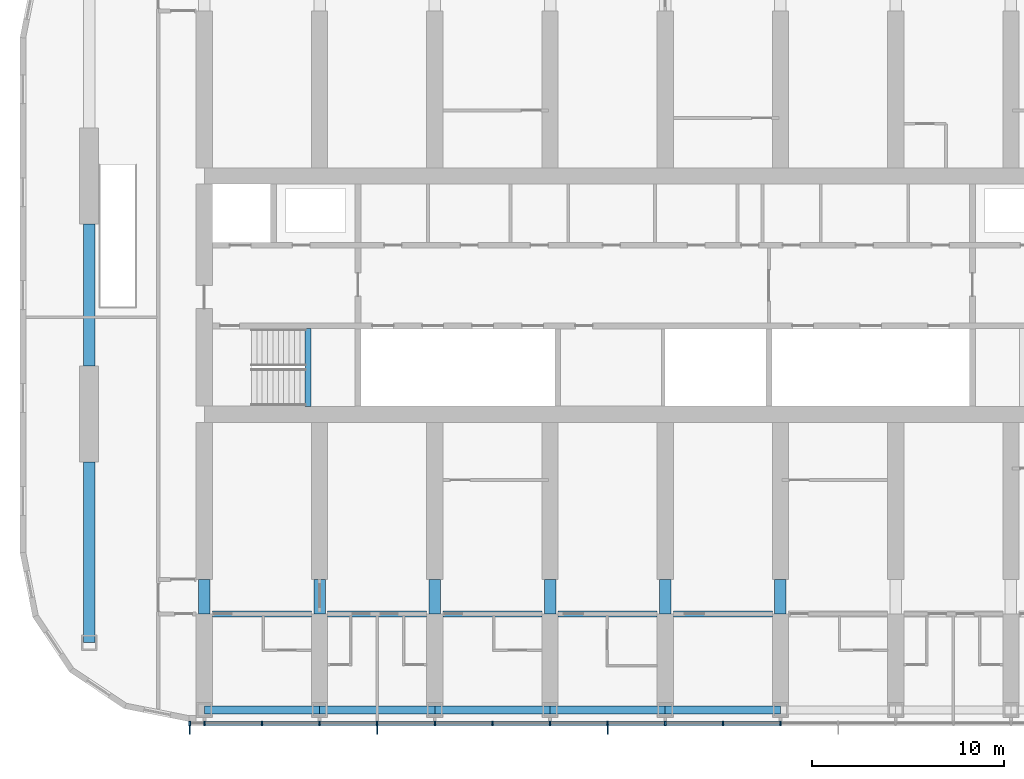
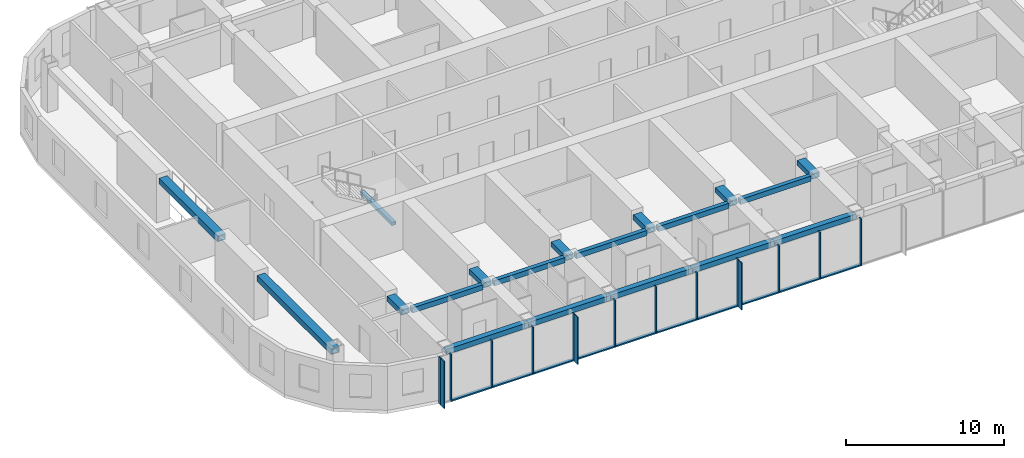
# One storey, part 2 of 22: 25 members, 19 beams, 1 element without a shape of its own.
"""IFC4 building model written with IfcOpenShell, lengths in metres."""

from ifc_helpers import new_model, si_unit, direction, frame, origin, origin_2d, place, context, subcontext, project, spatial, rectangle, hollow_rectangle, extrude, material, material_profile, profile_set, type_object, element, aggregate, save


model = new_model("IFC4")

# Units and contexts
model_context = context("Model", 3, precision=1e-05, world=origin(), true_north=direction((0.0, 1.0)))
body_context = subcontext(model_context, "Body", "Model", "MODEL_VIEW")
ifc_project = project(units=[si_unit("LENGTHUNIT", "METRE"), si_unit("AREAUNIT", "SQUARE_METRE"), si_unit("VOLUMEUNIT", "CUBIC_METRE"), si_unit("PLANEANGLEUNIT", "RADIAN"), si_unit("MASSUNIT", "GRAM", prefix="KILO")], contexts=[model_context])

# Site, building, storey
site_placement = place(None, origin())
site = spatial("IfcSite", under=ifc_project, at=site_placement, CompositionType="ELEMENT")
building_placement = place(site_placement, origin())
building = spatial("IfcBuilding", under=site, at=building_placement, Name="Orbita Commons", CompositionType="ELEMENT")
storey_placement = place(building_placement, frame((0.0, 0.0, 197.35009765625)))
storey = spatial("IfcBuildingStorey", under=building, at=storey_placement, Name="L49", CompositionType="ELEMENT", Elevation=197.35009765625)

# Curtain wall, members
ifc_material_1 = material(Name="Anodised aluminium frame, pale silver", Category="aluminium")
curtain_wall_type = type_object("IfcCurtainWallType", Name="Unitised curtain wall CW-U, full-height vision", PredefinedType="NOTDEFINED", material=ifc_material_1)
curtain_wall_placement = place(storey_placement, origin())
curtain_wall = element("IfcCurtainWall", 1, at=curtain_wall_placement, inside=storey, type_object=curtain_wall_type, Name="Curtain wall south L49", PredefinedType="NOTDEFINED")
ifc_material_2 = material(Name="Anodised aluminium, pale silver", Category="aluminium")
ifc_material_profile_1 = material_profile(ifc_material_2, rectangle(XDim=0.080078125, YDim=0.219970703125, at=origin_2d()), Name="AL 80x220")
ifc_profile_set_1 = profile_set([ifc_material_profile_1], Name="Anodised aluminium, pale silver")
member_type_1 = type_object("IfcMemberType", Name="Curtain wall mullion 80x220", PredefinedType="MULLION", material=ifc_profile_set_1)
member_1_placement = place(storey_placement, frame((17.239990234375, 9.68994140625, -0.25), z_axis=(0.0, 0.0, 1.0), x_axis=(1.0, 0.0, 0.0)))
member_1 = element("IfcMember", 2, at=member_1_placement, type_object=member_type_1, Name="Mullion 1 CW-L49-S", PredefinedType="MULLION", context=body_context, shape_type="SweptSolid", body=[
    extrude(rectangle(XDim=0.080078125, YDim=0.219970703125, at=origin_2d()), origin(), (0.0, 0.0, 1.0), 3.64990234375),
])
member_2_placement = place(storey_placement, frame((18.0, 9.68994140625, -0.25), z_axis=(0.0, 0.0, 1.0), x_axis=(1.0, 0.0, 0.0)))
member_2 = element("IfcMember", 3, at=member_2_placement, type_object=member_type_1, Name="Mullion 2 CW-L49-S", PredefinedType="MULLION", context=body_context, shape_type="SweptSolid", body=[
    extrude(rectangle(XDim=0.080078125, YDim=0.219970703125, at=origin_2d()), origin(), (0.0, 0.0, 1.0), 3.64990234375),
])
member_3_placement = place(storey_placement, frame((21.0, 9.68994140625, -0.25), z_axis=(0.0, 0.0, 1.0), x_axis=(1.0, 0.0, 0.0)))
member_3 = element("IfcMember", 4, at=member_3_placement, type_object=member_type_1, Name="Mullion 3 CW-L49-S", PredefinedType="MULLION", context=body_context, shape_type="SweptSolid", body=[
    extrude(rectangle(XDim=0.080078125, YDim=0.219970703125, at=origin_2d()), origin(), (0.0, 0.0, 1.0), 3.64990234375),
])
member_4_placement = place(storey_placement, frame((24.0, 9.68994140625, -0.25), z_axis=(0.0, 0.0, 1.0), x_axis=(1.0, 0.0, 0.0)))
member_4 = element("IfcMember", 5, at=member_4_placement, type_object=member_type_1, Name="Mullion 4 CW-L49-S", PredefinedType="MULLION", context=body_context, shape_type="SweptSolid", body=[
    extrude(rectangle(XDim=0.080078125, YDim=0.219970703125, at=origin_2d()), origin(), (0.0, 0.0, 1.0), 3.64990234375),
])
member_5_placement = place(storey_placement, frame((27.0, 9.68994140625, -0.25), z_axis=(0.0, 0.0, 1.0), x_axis=(1.0, 0.0, 0.0)))
member_5 = element("IfcMember", 6, at=member_5_placement, type_object=member_type_1, Name="Mullion 5 CW-L49-S", PredefinedType="MULLION", context=body_context, shape_type="SweptSolid", body=[
    extrude(rectangle(XDim=0.080078125, YDim=0.219970703125, at=origin_2d()), origin(), (0.0, 0.0, 1.0), 3.64990234375),
])
member_6_placement = place(storey_placement, frame((30.0, 9.68994140625, -0.25), z_axis=(0.0, 0.0, 1.0), x_axis=(1.0, 0.0, 0.0)))
member_6 = element("IfcMember", 7, at=member_6_placement, type_object=member_type_1, Name="Mullion 6 CW-L49-S", PredefinedType="MULLION", context=body_context, shape_type="SweptSolid", body=[
    extrude(rectangle(XDim=0.080078125, YDim=0.219970703125, at=origin_2d()), origin(), (0.0, 0.0, 1.0), 3.64990234375),
])
member_7_placement = place(storey_placement, frame((33.0, 9.68994140625, -0.25), z_axis=(0.0, 0.0, 1.0), x_axis=(1.0, 0.0, 0.0)))
member_7 = element("IfcMember", 8, at=member_7_placement, type_object=member_type_1, Name="Mullion 7 CW-L49-S", PredefinedType="MULLION", context=body_context, shape_type="SweptSolid", body=[
    extrude(rectangle(XDim=0.080078125, YDim=0.219970703125, at=origin_2d()), origin(), (0.0, 0.0, 1.0), 3.64990234375),
])
member_8_placement = place(storey_placement, frame((36.0, 9.68994140625, -0.25), z_axis=(0.0, 0.0, 1.0), x_axis=(1.0, 0.0, 0.0)))
member_8 = element("IfcMember", 9, at=member_8_placement, type_object=member_type_1, Name="Mullion 8 CW-L49-S", PredefinedType="MULLION", context=body_context, shape_type="SweptSolid", body=[
    extrude(rectangle(XDim=0.080078125, YDim=0.219970703125, at=origin_2d()), origin(), (0.0, 0.0, 1.0), 3.64990234375),
])
member_9_placement = place(storey_placement, frame((39.0, 9.68994140625, -0.25), z_axis=(0.0, 0.0, 1.0), x_axis=(1.0, 0.0, 0.0)))
member_9 = element("IfcMember", 10, at=member_9_placement, type_object=member_type_1, Name="Mullion 9 CW-L49-S", PredefinedType="MULLION", context=body_context, shape_type="SweptSolid", body=[
    extrude(rectangle(XDim=0.080078125, YDim=0.219970703125, at=origin_2d()), origin(), (0.0, 0.0, 1.0), 3.64990234375),
])
member_10_placement = place(storey_placement, frame((42.0, 9.68994140625, -0.25), z_axis=(0.0, 0.0, 1.0), x_axis=(1.0, 0.0, 0.0)))
member_10 = element("IfcMember", 11, at=member_10_placement, type_object=member_type_1, Name="Mullion 10 CW-L49-S", PredefinedType="MULLION", context=body_context, shape_type="SweptSolid", body=[
    extrude(rectangle(XDim=0.080078125, YDim=0.219970703125, at=origin_2d()), origin(), (0.0, 0.0, 1.0), 3.64990234375),
])
member_11_placement = place(storey_placement, frame((45.0, 9.68994140625, -0.25), z_axis=(0.0, 0.0, 1.0), x_axis=(1.0, 0.0, 0.0)))
member_11 = element("IfcMember", 12, at=member_11_placement, type_object=member_type_1, Name="Mullion 11 CW-L49-S", PredefinedType="MULLION", context=body_context, shape_type="SweptSolid", body=[
    extrude(rectangle(XDim=0.080078125, YDim=0.219970703125, at=origin_2d()), origin(), (0.0, 0.0, 1.0), 3.64990234375),
])
member_12_placement = place(storey_placement, frame((48.0, 9.68994140625, -0.25), z_axis=(0.0, 0.0, 1.0), x_axis=(1.0, 0.0, 0.0)))
member_12 = element("IfcMember", 13, at=member_12_placement, type_object=member_type_1, Name="Mullion 12 CW-L49-S", PredefinedType="MULLION", context=body_context, shape_type="SweptSolid", body=[
    extrude(rectangle(XDim=0.080078125, YDim=0.219970703125, at=origin_2d()), origin(), (0.0, 0.0, 1.0), 3.64990234375),
])
ifc_material_3 = material(Name="Anodised aluminium, pale silver", Category="aluminium")
ifc_material_profile_2 = material_profile(ifc_material_3, rectangle(XDim=0.219970703125, YDim=0.10009765625, at=origin_2d()), Name="AL 220x100")
ifc_profile_set_2 = profile_set([ifc_material_profile_2], Name="Anodised aluminium, pale silver")
member_type_2 = type_object("IfcMemberType", Name="Curtain wall stack transom 220x100", PredefinedType="USERDEFINED", material=ifc_profile_set_2)
member_13_placement = place(storey_placement, frame((18.0400390625, 9.68994140625, -0.2001953125), z_axis=(1.0, 0.0, 0.0), x_axis=(0.0, 1.0, 0.0)))
member_13 = element("IfcMember", 14, at=member_13_placement, type_object=member_type_2, Name="Transom 2.1 CW-L49-S", ObjectType="TRANSOM", PredefinedType="USERDEFINED", context=body_context, shape_type="SweptSolid", body=[
    extrude(rectangle(XDim=0.219970703125, YDim=0.10009765625, at=origin_2d()), origin(), (0.0, 0.0, 1.0), 2.919921875),
])
member_14_placement = place(storey_placement, frame((21.0400390625, 9.68994140625, -0.2001953125), z_axis=(1.0, 0.0, 0.0), x_axis=(0.0, 1.0, 0.0)))
member_14 = element("IfcMember", 15, at=member_14_placement, type_object=member_type_2, Name="Transom 3.1 CW-L49-S", ObjectType="TRANSOM", PredefinedType="USERDEFINED", context=body_context, shape_type="SweptSolid", body=[
    extrude(rectangle(XDim=0.219970703125, YDim=0.10009765625, at=origin_2d()), origin(), (0.0, 0.0, 1.0), 2.919921875),
])
member_15_placement = place(storey_placement, frame((24.0400390625, 9.68994140625, -0.2001953125), z_axis=(1.0, 0.0, 0.0), x_axis=(0.0, 1.0, 0.0)))
member_15 = element("IfcMember", 16, at=member_15_placement, type_object=member_type_2, Name="Transom 4.1 CW-L49-S", ObjectType="TRANSOM", PredefinedType="USERDEFINED", context=body_context, shape_type="SweptSolid", body=[
    extrude(rectangle(XDim=0.219970703125, YDim=0.10009765625, at=origin_2d()), origin(), (0.0, 0.0, 1.0), 2.919921875),
])
member_16_placement = place(storey_placement, frame((27.0400390625, 9.68994140625, -0.2001953125), z_axis=(1.0, 0.0, 0.0), x_axis=(0.0, 1.0, 0.0)))
member_16 = element("IfcMember", 17, at=member_16_placement, type_object=member_type_2, Name="Transom 5.1 CW-L49-S", ObjectType="TRANSOM", PredefinedType="USERDEFINED", context=body_context, shape_type="SweptSolid", body=[
    extrude(rectangle(XDim=0.219970703125, YDim=0.10009765625, at=origin_2d()), origin(), (0.0, 0.0, 1.0), 2.919921875),
])
member_17_placement = place(storey_placement, frame((30.0400390625, 9.68994140625, -0.2001953125), z_axis=(1.0, 0.0, 0.0), x_axis=(0.0, 1.0, 0.0)))
member_17 = element("IfcMember", 18, at=member_17_placement, type_object=member_type_2, Name="Transom 6.1 CW-L49-S", ObjectType="TRANSOM", PredefinedType="USERDEFINED", context=body_context, shape_type="SweptSolid", body=[
    extrude(rectangle(XDim=0.219970703125, YDim=0.10009765625, at=origin_2d()), origin(), (0.0, 0.0, 1.0), 2.919921875),
])
member_18_placement = place(storey_placement, frame((33.0400390625, 9.68994140625, -0.2001953125), z_axis=(1.0, 0.0, 0.0), x_axis=(0.0, 1.0, 0.0)))
member_18 = element("IfcMember", 19, at=member_18_placement, type_object=member_type_2, Name="Transom 7.1 CW-L49-S", ObjectType="TRANSOM", PredefinedType="USERDEFINED", context=body_context, shape_type="SweptSolid", body=[
    extrude(rectangle(XDim=0.219970703125, YDim=0.10009765625, at=origin_2d()), origin(), (0.0, 0.0, 1.0), 2.919921875),
])
member_19_placement = place(storey_placement, frame((36.0400390625, 9.68994140625, -0.2001953125), z_axis=(1.0, 0.0, 0.0), x_axis=(0.0, 1.0, 0.0)))
member_19 = element("IfcMember", 20, at=member_19_placement, type_object=member_type_2, Name="Transom 8.1 CW-L49-S", ObjectType="TRANSOM", PredefinedType="USERDEFINED", context=body_context, shape_type="SweptSolid", body=[
    extrude(rectangle(XDim=0.219970703125, YDim=0.10009765625, at=origin_2d()), origin(), (0.0, 0.0, 1.0), 2.919921875),
])
member_20_placement = place(storey_placement, frame((39.0400390625, 9.68994140625, -0.2001953125), z_axis=(1.0, 0.0, 0.0), x_axis=(0.0, 1.0, 0.0)))
member_20 = element("IfcMember", 21, at=member_20_placement, type_object=member_type_2, Name="Transom 9.1 CW-L49-S", ObjectType="TRANSOM", PredefinedType="USERDEFINED", context=body_context, shape_type="SweptSolid", body=[
    extrude(rectangle(XDim=0.219970703125, YDim=0.10009765625, at=origin_2d()), origin(), (0.0, 0.0, 1.0), 2.919921875),
])
member_21_placement = place(storey_placement, frame((42.0400390625, 9.68994140625, -0.2001953125), z_axis=(1.0, 0.0, 0.0), x_axis=(0.0, 1.0, 0.0)))
member_21 = element("IfcMember", 22, at=member_21_placement, type_object=member_type_2, Name="Transom 10.1 CW-L49-S", ObjectType="TRANSOM", PredefinedType="USERDEFINED", context=body_context, shape_type="SweptSolid", body=[
    extrude(rectangle(XDim=0.219970703125, YDim=0.10009765625, at=origin_2d()), origin(), (0.0, 0.0, 1.0), 2.919921875),
])
member_22_placement = place(storey_placement, frame((45.0400390625, 9.68994140625, -0.2001953125), z_axis=(1.0, 0.0, 0.0), x_axis=(0.0, 1.0, 0.0)))
member_22 = element("IfcMember", 23, at=member_22_placement, type_object=member_type_2, Name="Transom 11.1 CW-L49-S", ObjectType="TRANSOM", PredefinedType="USERDEFINED", context=body_context, shape_type="SweptSolid", body=[
    extrude(rectangle(XDim=0.219970703125, YDim=0.10009765625, at=origin_2d()), origin(), (0.0, 0.0, 1.0), 2.919921875),
])

# Beams
ifc_material_4 = material(Name="Steel ASTM A572 Gr 50 welded plate", Category="steel")
ifc_material_profile_3 = material_profile(ifc_material_4, hollow_rectangle(XDim=0.300048828125, YDim=0.25, WallThickness=0.02490234375, at=origin_2d()), Name="BOX 250x300x25")
ifc_profile_set_3 = profile_set([ifc_material_profile_3], Name="Steel ASTM A572 Gr 50 welded plate")
beam_type_1 = type_object("IfcBeamType", Name="Stair landing beam steel BOX 250x300x25", PredefinedType="BEAM", material=ifc_profile_set_3)
beam_1_placement = place(storey_placement, frame((23.39990234375, 26.2099609375, 1.5498046875), z_axis=(0.0, 1.0, 0.0), x_axis=(-1.0, 0.0, 0.0)))
element("IfcBeam", 24, at=beam_1_placement, inside=storey, type_object=beam_type_1, Name="Stair S1 landing beam L49 1", PredefinedType="BEAM", context=body_context, shape_type="SweptSolid", body=[
    extrude(hollow_rectangle(XDim=0.300048828125, YDim=0.25, WallThickness=0.02490234375, at=origin_2d()), origin(), (0.0, 0.0, 1.0), 4.054931640625),
])
ifc_material_5 = material(Name="Steel ASTM A572 Gr 50 welded plate", Category="steel")
ifc_material_profile_4 = material_profile(ifc_material_5, hollow_rectangle(XDim=0.300048828125, YDim=0.39990234375, WallThickness=0.0400390625, at=origin_2d()), Name="BOX 400x300x40")
ifc_profile_set_4 = profile_set([ifc_material_profile_4], Name="Steel ASTM A572 Gr 50 welded plate")
beam_type_2 = type_object("IfcBeamType", Name="Steel corridor link BOX 400x300x40", PredefinedType="BEAM", material=ifc_profile_set_4)
for number, where, z_axis, x_axis, name in (
    (25, (18.425048828125, 15.39990234375, 3.199951171875), (1.0, 0.0, 0.0), (0.0, 1.0, 0.0), "Corridor beam SA 4-5 L49"),
    (26, (24.425048828125, 15.39990234375, 3.199951171875), (1.0, 0.0, 0.0), (0.0, 1.0, 0.0), "Corridor beam SA 5-6 L49"),
    (27, (30.425048828125, 15.39990234375, 3.199951171875), (1.0, 0.0, 0.0), (0.0, 1.0, 0.0), "Corridor beam SA 6-7 L49"),
    (28, (36.425048828125, 15.39990234375, 3.199951171875), (1.0, 0.0, 0.0), (0.0, 1.0, 0.0), "Corridor beam SA 7-8 L49"),
    (29, (42.425048828125, 15.39990234375, 3.199951171875), (1.0, 0.0, 0.0), (0.0, 1.0, 0.0), "Corridor beam SA 8-9 L49"),
):
    element("IfcBeam", number, at=place(storey_placement, frame(where, z_axis=z_axis, x_axis=x_axis)), inside=storey, type_object=beam_type_2, Name=name, PredefinedType="BEAM", context=body_context, shape_type="SweptSolid", body=[
        extrude(hollow_rectangle(XDim=0.300048828125, YDim=0.39990234375, WallThickness=0.0400390625, at=origin_2d()), origin(), (0.0, 0.0, 1.0), 5.14990234375),
    ])
ifc_material_6 = material(Name="Steel ASTM A572 Gr 50 welded plate", Category="steel")
ifc_material_profile_5 = material_profile(ifc_material_6, hollow_rectangle(XDim=0.60009765625, YDim=0.39990234375, WallThickness=0.050048828125, at=origin_2d()), Name="BOX 400x600x50")
ifc_profile_set_5 = profile_set([ifc_material_profile_5], Name="Steel ASTM A572 Gr 50 welded plate")
beam_type_3 = type_object("IfcBeamType", Name="Steel coupling link BOX 400x600x50", PredefinedType="LINTEL", material=ifc_profile_set_5)
for number, where, z_axis, x_axis, name in (
    (30, (18.0, 15.39990234375, 3.199951171875), (0.0, 1.0, 0.0), (-1.0, 0.0, 0.0), "Coupling beam 4 south L49"),
    (31, (24.0, 15.39990234375, 3.199951171875), (0.0, 1.0, 0.0), (-1.0, 0.0, 0.0), "Coupling beam 5 south L49"),
    (32, (30.0, 15.39990234375, 3.199951171875), (0.0, 1.0, 0.0), (-1.0, 0.0, 0.0), "Coupling beam 6 south L49"),
    (33, (36.0, 15.39990234375, 3.199951171875), (0.0, 1.0, 0.0), (-1.0, 0.0, 0.0), "Coupling beam 7 south L49"),
    (34, (42.0, 15.39990234375, 3.199951171875), (0.0, 1.0, 0.0), (-1.0, 0.0, 0.0), "Coupling beam 8 south L49"),
    (35, (48.0, 15.39990234375, 3.199951171875), (0.0, 1.0, 0.0), (-1.0, 0.0, 0.0), "Coupling beam 9 south L49"),
):
    element("IfcBeam", number, at=place(storey_placement, frame(where, z_axis=z_axis, x_axis=x_axis)), inside=storey, type_object=beam_type_3, Name=name, PredefinedType="LINTEL", context=body_context, shape_type="SweptSolid", body=[
        extrude(hollow_rectangle(XDim=0.60009765625, YDim=0.39990234375, WallThickness=0.050048828125, at=origin_2d()), origin(), (0.0, 0.0, 1.0), 1.800048828125),
    ])
ifc_material_7 = material(Name="Steel ASTM A572 Gr 50 welded plate", Category="steel")
ifc_material_profile_6 = material_profile(ifc_material_7, hollow_rectangle(XDim=0.60009765625, YDim=0.449951171875, WallThickness=0.06005859375, at=origin_2d()), Name="BOX 450x600x60")
ifc_profile_set_6 = profile_set([ifc_material_profile_6], Name="Steel ASTM A572 Gr 50 welded plate")
beam_type_4 = type_object("IfcBeamType", Name="Steel end frame link BOX 450x600x60", PredefinedType="BEAM", material=ifc_profile_set_6)
beam_2_placement = place(storey_placement, frame((12.0, 13.89990234375, 3.1748046875), z_axis=(0.0, 1.0, 0.0), x_axis=(-1.0, 0.0, 0.0)))
element("IfcBeam", 36, at=beam_2_placement, inside=storey, type_object=beam_type_4, Name="End frame beam 3 B-C L49", PredefinedType="BEAM", context=body_context, shape_type="SweptSolid", body=[
    extrude(hollow_rectangle(XDim=0.60009765625, YDim=0.449951171875, WallThickness=0.06005859375, at=origin_2d()), origin(), (0.0, 0.0, 1.0), 9.400146484375),
])
beam_3_placement = place(storey_placement, frame((12.0, 28.300048828125, 3.1748046875), z_axis=(0.0, 1.0, 0.0), x_axis=(-1.0, 0.0, 0.0)))
element("IfcBeam", 37, at=beam_3_placement, inside=storey, type_object=beam_type_4, Name="End frame beam 3 C-D L49", PredefinedType="BEAM", context=body_context, shape_type="SweptSolid", body=[
    extrude(hollow_rectangle(XDim=0.60009765625, YDim=0.449951171875, WallThickness=0.06005859375, at=origin_2d()), origin(), (0.0, 0.0, 1.0), 7.39990234375),
])
ifc_material_8 = material(Name="Steel ASTM A572 Gr 50 welded plate", Category="steel")
ifc_material_profile_7 = material_profile(ifc_material_8, hollow_rectangle(XDim=0.39990234375, YDim=0.39990234375, WallThickness=0.0400390625, at=origin_2d()), Name="BOX 400x400x40")
ifc_profile_set_7 = profile_set([ifc_material_profile_7], Name="Steel ASTM A572 Gr 50 welded plate")
beam_type_5 = type_object("IfcBeamType", Name="Steel spandrel BOX 400x400x40", PredefinedType="SPANDREL", material=ifc_profile_set_7)
for number, where, z_axis, x_axis, name in (
    (38, (18.0, 10.39990234375, 3.199951171875), (1.0, 0.0, 0.0), (0.0, 1.0, 0.0), "Spandrel beam B 4-5 L49"),
    (39, (24.0, 10.39990234375, 3.199951171875), (1.0, 0.0, 0.0), (0.0, 1.0, 0.0), "Spandrel beam B 5-6 L49"),
    (40, (30.0, 10.39990234375, 3.199951171875), (1.0, 0.0, 0.0), (0.0, 1.0, 0.0), "Spandrel beam B 6-7 L49"),
    (41, (36.0, 10.39990234375, 3.199951171875), (1.0, 0.0, 0.0), (0.0, 1.0, 0.0), "Spandrel beam B 7-8 L49"),
    (42, (42.0, 10.39990234375, 3.199951171875), (1.0, 0.0, 0.0), (0.0, 1.0, 0.0), "Spandrel beam B 8-9 L49"),
):
    element("IfcBeam", number, at=place(storey_placement, frame(where, z_axis=z_axis, x_axis=x_axis)), inside=storey, type_object=beam_type_5, Name=name, PredefinedType="SPANDREL", context=body_context, shape_type="SweptSolid", body=[
        extrude(hollow_rectangle(XDim=0.39990234375, YDim=0.39990234375, WallThickness=0.0400390625, at=origin_2d()), origin(), (0.0, 0.0, 1.0), 6.0),
    ])

# Member
ifc_material_9 = material(Name="Anodised aluminium, pale silver", Category="aluminium")
ifc_material_profile_8 = material_profile(ifc_material_9, rectangle(XDim=0.06005859375, YDim=0.449951171875, at=origin_2d()), Name="FIN 60x450")
ifc_profile_set_8 = profile_set([ifc_material_profile_8], Name="Anodised aluminium, pale silver")
member_type_3 = type_object("IfcMemberType", Name="Vertical fin 60x450 pale aluminium", PredefinedType="USERDEFINED", material=ifc_profile_set_8)
member_23_placement = place(storey_placement, frame((17.239990234375, 9.35498046875, -0.25), z_axis=(0.0, 0.0, 1.0), x_axis=(1.0, 0.0, 0.0)))
member_23 = element("IfcMember", 43, at=member_23_placement, type_object=member_type_3, Name="Fin 1 CW-L49-S", ObjectType="FIN", PredefinedType="USERDEFINED", context=body_context, shape_type="SweptSolid", body=[
    extrude(rectangle(XDim=0.06005859375, YDim=0.449951171875, at=origin_2d()), origin(), (0.0, 0.0, 1.0), 3.64990234375),
])

member_24_placement = place(storey_placement, frame((27.0, 9.35498046875, -0.25), z_axis=(0.0, 0.0, 1.0), x_axis=(1.0, 0.0, 0.0)))
member_24 = element("IfcMember", 44, at=member_24_placement, type_object=member_type_3, Name="Fin 5 CW-L49-S", ObjectType="FIN", PredefinedType="USERDEFINED", context=body_context, shape_type="SweptSolid", body=[
    extrude(rectangle(XDim=0.06005859375, YDim=0.449951171875, at=origin_2d()), origin(), (0.0, 0.0, 1.0), 3.64990234375),
])

member_25_placement = place(storey_placement, frame((39.0, 9.35498046875, -0.25), z_axis=(0.0, 0.0, 1.0), x_axis=(1.0, 0.0, 0.0)))
member_25 = element("IfcMember", 45, at=member_25_placement, type_object=member_type_3, Name="Fin 9 CW-L49-S", ObjectType="FIN", PredefinedType="USERDEFINED", context=body_context, shape_type="SweptSolid", body=[
    extrude(rectangle(XDim=0.06005859375, YDim=0.449951171875, at=origin_2d()), origin(), (0.0, 0.0, 1.0), 3.64990234375),
])

aggregate(curtain_wall, [member_1, member_23, member_2, member_3, member_4, member_5, member_24, member_6, member_7, member_8, member_9, member_25, member_10, member_11, member_12, member_13, member_14, member_15, member_16, member_17, member_18, member_19, member_20, member_21, member_22])

save(model, "model.ifc")
